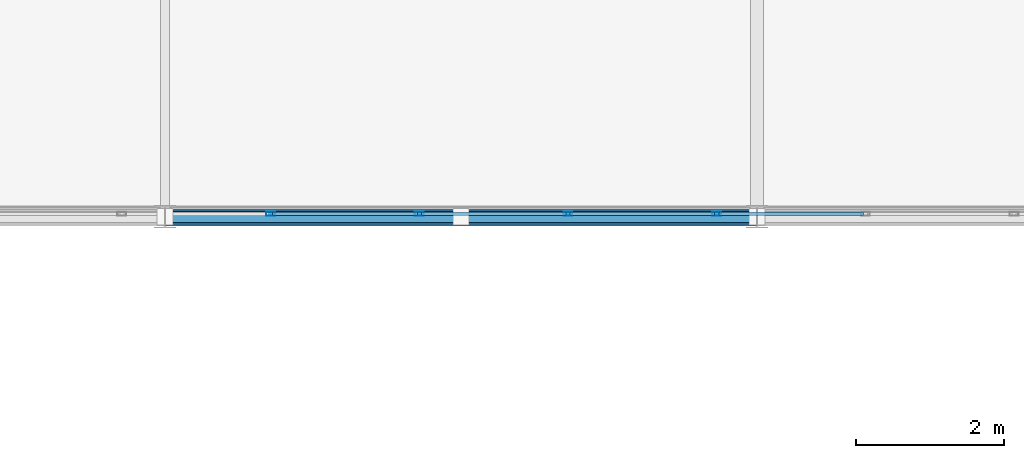
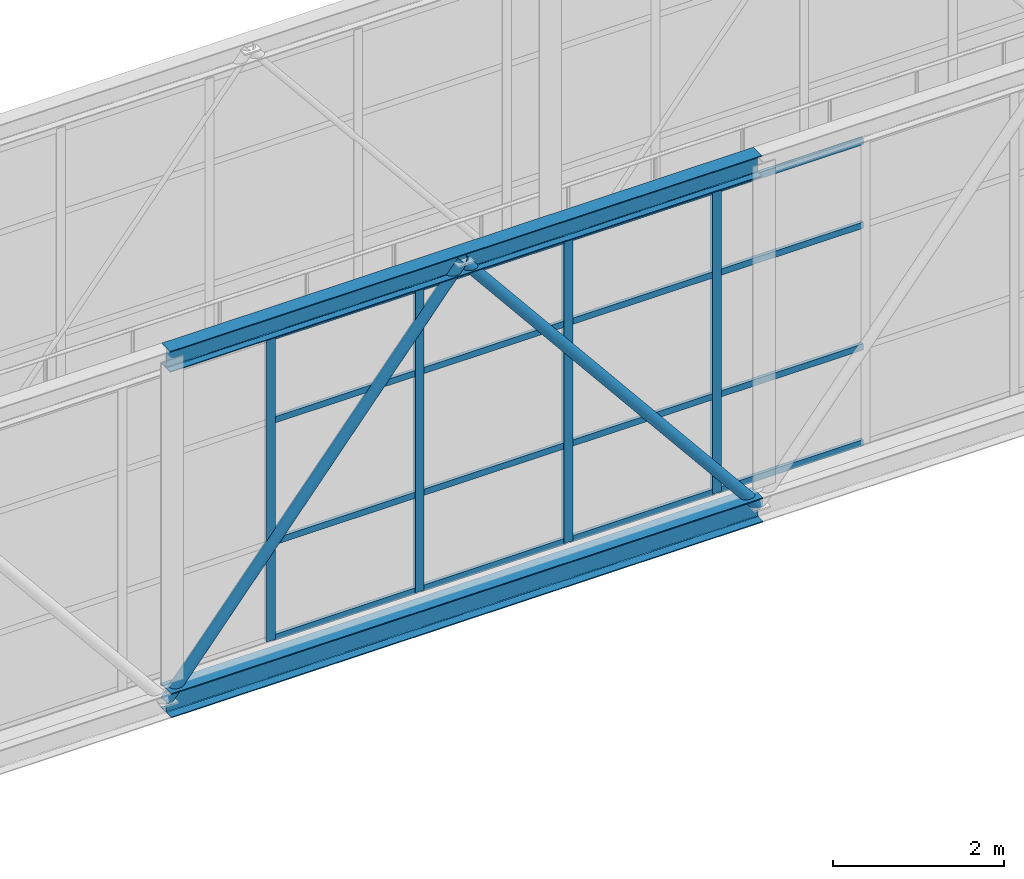
# One storey, part 88 of 248: 24 members, 1 element without a shape of its own.
"""IFC4 building model written with IfcOpenShell, lengths in metres."""

from ifc_helpers import new_model, si_unit, direction, frame, origin, origin_2d, place, context, subcontext, project, spatial, hollow_rectangle, hollow_circle, i_section, extrude, material, layer, layer_set, material_profile, profile_set, type_object, element, aggregate, save


model = new_model("IFC4")

# Units and contexts
model_context = context("Model", 3, precision=1e-05, world=origin(), true_north=direction((0.0, 1.0)))
body_context = subcontext(model_context, "Body", "Model", "MODEL_VIEW")
ifc_project = project(units=[si_unit("LENGTHUNIT", "METRE"), si_unit("AREAUNIT", "SQUARE_METRE"), si_unit("VOLUMEUNIT", "CUBIC_METRE"), si_unit("PLANEANGLEUNIT", "RADIAN"), si_unit("MASSUNIT", "GRAM", prefix="KILO")], contexts=[model_context])

# Site, building, storey
site_placement = place(None, origin())
site = spatial("IfcSite", under=ifc_project, at=site_placement, CompositionType="ELEMENT")
building_placement = place(site_placement, origin())
building = spatial("IfcBuilding", under=site, at=building_placement, Name="Canggui Botanical Conservatory", CompositionType="ELEMENT")
storey_placement = place(building_placement, frame((0.0, 0.0, 5.39990234375)))
storey = spatial("IfcBuildingStorey", under=building, at=storey_placement, Name="L02", CompositionType="ELEMENT", Elevation=5.39990234375)

# Curtain wall, members
ifc_material_1 = material(Name="Thermally Broken Aluminium", Category="aluminium")
ifc_layer = layer(ifc_material_1, 0.1201171875, Name="Thermally Broken Aluminium", Category="aluminium")
ifc_layer_set = layer_set([ifc_layer], Name="Thermally Broken Aluminium")
curtain_wall_type = type_object("IfcCurtainWallType", Name="CW-STICK-B", PredefinedType="USERDEFINED", material=ifc_layer_set)
curtain_wall_placement = place(storey_placement, origin())
curtain_wall = element("IfcCurtainWall", 1, at=curtain_wall_placement, inside=storey, type_object=curtain_wall_type, Name="Facade Curtain Wall CW-SB-01-1", ObjectType="STICK GLAZED WALL", PredefinedType="USERDEFINED")
ifc_material_profile_1 = material_profile(ifc_material_1, hollow_rectangle(XDim=0.054931640625, YDim=0.1201171875, WallThickness=0.0029296875, at=origin_2d()), Name="CWM 55x120x3")
ifc_profile_set_1 = profile_set([ifc_material_profile_1], Name="Thermally Broken Aluminium")
member_type_1 = type_object("IfcMemberType", Name="CWM-05", PredefinedType="MULLION", material=ifc_profile_set_1)
member_1_placement = place(storey_placement, frame((82.927490234375, 26.0400390625, 0.0), z_axis=(0.0, 0.0, 1.0), x_axis=(0.0, 1.0, 0.0)))
member_1 = element("IfcMember", 2, at=member_1_placement, type_object=member_type_1, Name="CW-05 mullion 9", PredefinedType="MULLION", context=body_context, shape_type="SweptSolid", body=[
    extrude(hollow_rectangle(XDim=0.054931640625, YDim=0.1201171875, WallThickness=0.0029296875, at=origin_2d()), origin(), (0.0, 0.0, 1.0), 4.35009765625),
])
member_2_placement = place(storey_placement, frame((84.93701171875, 26.0400390625, 0.0), z_axis=(0.0, 0.0, 1.0), x_axis=(0.0, 1.0, 0.0)))
member_2 = element("IfcMember", 3, at=member_2_placement, type_object=member_type_1, Name="CW-05 mullion 10", PredefinedType="MULLION", context=body_context, shape_type="SweptSolid", body=[
    extrude(hollow_rectangle(XDim=0.054931640625, YDim=0.1201171875, WallThickness=0.0029296875, at=origin_2d()), origin(), (0.0, 0.0, 1.0), 4.35009765625),
])
member_3_placement = place(storey_placement, frame((86.94677734375, 26.0400390625, 0.0), z_axis=(0.0, 0.0, 1.0), x_axis=(0.0, 1.0, 0.0)))
member_3 = element("IfcMember", 4, at=member_3_placement, type_object=member_type_1, Name="CW-05 mullion 11", PredefinedType="MULLION", context=body_context, shape_type="SweptSolid", body=[
    extrude(hollow_rectangle(XDim=0.054931640625, YDim=0.1201171875, WallThickness=0.0029296875, at=origin_2d()), origin(), (0.0, 0.0, 1.0), 4.35009765625),
])
member_4_placement = place(storey_placement, frame((88.95654296875, 26.0400390625, 0.0), z_axis=(0.0, 0.0, 1.0), x_axis=(0.0, 1.0, 0.0)))
member_4 = element("IfcMember", 5, at=member_4_placement, type_object=member_type_1, Name="CW-05 mullion 12", PredefinedType="MULLION", context=body_context, shape_type="SweptSolid", body=[
    extrude(hollow_rectangle(XDim=0.054931640625, YDim=0.1201171875, WallThickness=0.0029296875, at=origin_2d()), origin(), (0.0, 0.0, 1.0), 4.35009765625),
])
ifc_material_profile_2 = material_profile(ifc_material_1, hollow_rectangle(XDim=0.044921875, YDim=0.090087890625, WallThickness=0.0029296875, at=origin_2d()), Name="CWT 45x90x3")
ifc_profile_set_2 = profile_set([ifc_material_profile_2], Name="Thermally Broken Aluminium")
member_type_2 = type_object("IfcMemberType", Name="CWT-05", PredefinedType="USERDEFINED", material=ifc_profile_set_2)
member_5_placement = place(storey_placement, frame((82.954833984375, 26.0400390625, 0.022705078125), z_axis=(1.0, 0.0, 0.0), x_axis=(0.0, 1.0, 0.0)))
member_5 = element("IfcMember", 6, at=member_5_placement, type_object=member_type_2, Name="CW-05 transom 9.1", ObjectType="TRANSOM", PredefinedType="USERDEFINED", context=body_context, shape_type="SweptSolid", body=[
    extrude(hollow_rectangle(XDim=0.044921875, YDim=0.090087890625, WallThickness=0.0029296875, at=origin_2d()), origin(), (0.0, 0.0, 1.0), 1.954833984375),
])
member_6_placement = place(storey_placement, frame((82.954833984375, 26.0400390625, 1.39208984375), z_axis=(1.0, 0.0, 0.0), x_axis=(0.0, 1.0, 0.0)))
member_6 = element("IfcMember", 7, at=member_6_placement, type_object=member_type_2, Name="CW-05 transom 9.2", ObjectType="TRANSOM", PredefinedType="USERDEFINED", context=body_context, shape_type="SweptSolid", body=[
    extrude(hollow_rectangle(XDim=0.044921875, YDim=0.090087890625, WallThickness=0.0029296875, at=origin_2d()), origin(), (0.0, 0.0, 1.0), 1.954833984375),
])
member_7_placement = place(storey_placement, frame((82.954833984375, 26.0400390625, 3.132080078125), z_axis=(1.0, 0.0, 0.0), x_axis=(0.0, 1.0, 0.0)))
member_7 = element("IfcMember", 8, at=member_7_placement, type_object=member_type_2, Name="CW-05 transom 9.3", ObjectType="TRANSOM", PredefinedType="USERDEFINED", context=body_context, shape_type="SweptSolid", body=[
    extrude(hollow_rectangle(XDim=0.044921875, YDim=0.090087890625, WallThickness=0.0029296875, at=origin_2d()), origin(), (0.0, 0.0, 1.0), 1.954833984375),
])
member_8_placement = place(storey_placement, frame((82.954833984375, 26.0400390625, 4.32763671875), z_axis=(1.0, 0.0, 0.0), x_axis=(0.0, 1.0, 0.0)))
member_8 = element("IfcMember", 9, at=member_8_placement, type_object=member_type_2, Name="CW-05 transom 9.4", ObjectType="TRANSOM", PredefinedType="USERDEFINED", context=body_context, shape_type="SweptSolid", body=[
    extrude(hollow_rectangle(XDim=0.044921875, YDim=0.090087890625, WallThickness=0.0029296875, at=origin_2d()), origin(), (0.0, 0.0, 1.0), 1.954833984375),
])
member_9_placement = place(storey_placement, frame((84.964599609375, 26.0400390625, 0.022705078125), z_axis=(1.0, 0.0, 0.0), x_axis=(0.0, 1.0, 0.0)))
member_9 = element("IfcMember", 10, at=member_9_placement, type_object=member_type_2, Name="CW-05 transom 10.1", ObjectType="TRANSOM", PredefinedType="USERDEFINED", context=body_context, shape_type="SweptSolid", body=[
    extrude(hollow_rectangle(XDim=0.044921875, YDim=0.090087890625, WallThickness=0.0029296875, at=origin_2d()), origin(), (0.0, 0.0, 1.0), 1.95458984375),
])
member_10_placement = place(storey_placement, frame((84.964599609375, 26.0400390625, 1.39208984375), z_axis=(1.0, 0.0, 0.0), x_axis=(0.0, 1.0, 0.0)))
member_10 = element("IfcMember", 11, at=member_10_placement, type_object=member_type_2, Name="CW-05 transom 10.2", ObjectType="TRANSOM", PredefinedType="USERDEFINED", context=body_context, shape_type="SweptSolid", body=[
    extrude(hollow_rectangle(XDim=0.044921875, YDim=0.090087890625, WallThickness=0.0029296875, at=origin_2d()), origin(), (0.0, 0.0, 1.0), 1.95458984375),
])
member_11_placement = place(storey_placement, frame((84.964599609375, 26.0400390625, 3.132080078125), z_axis=(1.0, 0.0, 0.0), x_axis=(0.0, 1.0, 0.0)))
member_11 = element("IfcMember", 12, at=member_11_placement, type_object=member_type_2, Name="CW-05 transom 10.3", ObjectType="TRANSOM", PredefinedType="USERDEFINED", context=body_context, shape_type="SweptSolid", body=[
    extrude(hollow_rectangle(XDim=0.044921875, YDim=0.090087890625, WallThickness=0.0029296875, at=origin_2d()), origin(), (0.0, 0.0, 1.0), 1.95458984375),
])
member_12_placement = place(storey_placement, frame((84.964599609375, 26.0400390625, 4.32763671875), z_axis=(1.0, 0.0, 0.0), x_axis=(0.0, 1.0, 0.0)))
member_12 = element("IfcMember", 13, at=member_12_placement, type_object=member_type_2, Name="CW-05 transom 10.4", ObjectType="TRANSOM", PredefinedType="USERDEFINED", context=body_context, shape_type="SweptSolid", body=[
    extrude(hollow_rectangle(XDim=0.044921875, YDim=0.090087890625, WallThickness=0.0029296875, at=origin_2d()), origin(), (0.0, 0.0, 1.0), 1.95458984375),
])
member_13_placement = place(storey_placement, frame((86.974365234375, 26.0400390625, 0.022705078125), z_axis=(1.0, 0.0, 0.0), x_axis=(0.0, 1.0, 0.0)))
member_13 = element("IfcMember", 14, at=member_13_placement, type_object=member_type_2, Name="CW-05 transom 11.1", ObjectType="TRANSOM", PredefinedType="USERDEFINED", context=body_context, shape_type="SweptSolid", body=[
    extrude(hollow_rectangle(XDim=0.044921875, YDim=0.090087890625, WallThickness=0.0029296875, at=origin_2d()), origin(), (0.0, 0.0, 1.0), 1.95458984375),
])
member_14_placement = place(storey_placement, frame((86.974365234375, 26.0400390625, 1.39208984375), z_axis=(1.0, 0.0, 0.0), x_axis=(0.0, 1.0, 0.0)))
member_14 = element("IfcMember", 15, at=member_14_placement, type_object=member_type_2, Name="CW-05 transom 11.2", ObjectType="TRANSOM", PredefinedType="USERDEFINED", context=body_context, shape_type="SweptSolid", body=[
    extrude(hollow_rectangle(XDim=0.044921875, YDim=0.090087890625, WallThickness=0.0029296875, at=origin_2d()), origin(), (0.0, 0.0, 1.0), 1.95458984375),
])
member_15_placement = place(storey_placement, frame((86.974365234375, 26.0400390625, 3.132080078125), z_axis=(1.0, 0.0, 0.0), x_axis=(0.0, 1.0, 0.0)))
member_15 = element("IfcMember", 16, at=member_15_placement, type_object=member_type_2, Name="CW-05 transom 11.3", ObjectType="TRANSOM", PredefinedType="USERDEFINED", context=body_context, shape_type="SweptSolid", body=[
    extrude(hollow_rectangle(XDim=0.044921875, YDim=0.090087890625, WallThickness=0.0029296875, at=origin_2d()), origin(), (0.0, 0.0, 1.0), 1.95458984375),
])
member_16_placement = place(storey_placement, frame((86.974365234375, 26.0400390625, 4.32763671875), z_axis=(1.0, 0.0, 0.0), x_axis=(0.0, 1.0, 0.0)))
member_16 = element("IfcMember", 17, at=member_16_placement, type_object=member_type_2, Name="CW-05 transom 11.4", ObjectType="TRANSOM", PredefinedType="USERDEFINED", context=body_context, shape_type="SweptSolid", body=[
    extrude(hollow_rectangle(XDim=0.044921875, YDim=0.090087890625, WallThickness=0.0029296875, at=origin_2d()), origin(), (0.0, 0.0, 1.0), 1.95458984375),
])
member_17_placement = place(storey_placement, frame((88.98388671875, 26.0400390625, 0.022705078125), z_axis=(1.0, 0.0, 0.0), x_axis=(0.0, 1.0, 0.0)))
member_17 = element("IfcMember", 18, at=member_17_placement, type_object=member_type_2, Name="CW-05 transom 12.1", ObjectType="TRANSOM", PredefinedType="USERDEFINED", context=body_context, shape_type="SweptSolid", body=[
    extrude(hollow_rectangle(XDim=0.044921875, YDim=0.090087890625, WallThickness=0.0029296875, at=origin_2d()), origin(), (0.0, 0.0, 1.0), 1.954833984375),
])
member_18_placement = place(storey_placement, frame((88.98388671875, 26.0400390625, 1.39208984375), z_axis=(1.0, 0.0, 0.0), x_axis=(0.0, 1.0, 0.0)))
member_18 = element("IfcMember", 19, at=member_18_placement, type_object=member_type_2, Name="CW-05 transom 12.2", ObjectType="TRANSOM", PredefinedType="USERDEFINED", context=body_context, shape_type="SweptSolid", body=[
    extrude(hollow_rectangle(XDim=0.044921875, YDim=0.090087890625, WallThickness=0.0029296875, at=origin_2d()), origin(), (0.0, 0.0, 1.0), 1.954833984375),
])
member_19_placement = place(storey_placement, frame((88.98388671875, 26.0400390625, 3.132080078125), z_axis=(1.0, 0.0, 0.0), x_axis=(0.0, 1.0, 0.0)))
member_19 = element("IfcMember", 20, at=member_19_placement, type_object=member_type_2, Name="CW-05 transom 12.3", ObjectType="TRANSOM", PredefinedType="USERDEFINED", context=body_context, shape_type="SweptSolid", body=[
    extrude(hollow_rectangle(XDim=0.044921875, YDim=0.090087890625, WallThickness=0.0029296875, at=origin_2d()), origin(), (0.0, 0.0, 1.0), 1.954833984375),
])
member_20_placement = place(storey_placement, frame((88.98388671875, 26.0400390625, 4.32763671875), z_axis=(1.0, 0.0, 0.0), x_axis=(0.0, 1.0, 0.0)))
member_20 = element("IfcMember", 21, at=member_20_placement, type_object=member_type_2, Name="CW-05 transom 12.4", ObjectType="TRANSOM", PredefinedType="USERDEFINED", context=body_context, shape_type="SweptSolid", body=[
    extrude(hollow_rectangle(XDim=0.044921875, YDim=0.090087890625, WallThickness=0.0029296875, at=origin_2d()), origin(), (0.0, 0.0, 1.0), 1.954833984375),
])
aggregate(curtain_wall, [member_1, member_2, member_3, member_4, member_5, member_6, member_7, member_8, member_9, member_10, member_11, member_12, member_13, member_14, member_15, member_16, member_17, member_18, member_19, member_20])

# Members
ifc_material_2 = material(Name="Steel Q355C", Category="steel")
ifc_material_profile_3 = material_profile(ifc_material_2, hollow_circle(Radius=0.075927734375, WallThickness=0.006103515625, at=origin_2d()), Name="CHS 152x6")
ifc_profile_set_3 = profile_set([ifc_material_profile_3], Name="Steel Q355C")
member_type_3 = type_object("IfcMemberType", Name="MEM-GSD04", PredefinedType="RAFTER", material=ifc_profile_set_3)
for number, where, z_axis, x_axis, name in (
    (22, (81.5, 26.0, -0.349853515625), (0.632384053133, 0.0, 0.774655026024), (0.0, 1.0, 0.0), "SB-01 Truss Web Rafter 1.3A"),
    (23, (85.5, 26.0, 4.550048828125), (0.632384053133, 0.0, -0.774655026024), (0.0, 1.0, 0.0), "SB-01 Truss Web Rafter 1.3B"),
):
    element("IfcMember", number, at=place(storey_placement, frame(where, z_axis=z_axis, x_axis=x_axis)), inside=storey, type_object=member_type_3, Name=name, PredefinedType="RAFTER", context=body_context, shape_type="SweptSolid", body=[
        extrude(hollow_circle(Radius=0.075927734375, WallThickness=0.006103515625, at=origin_2d()), origin(), (0.0, 0.0, 1.0), 6.3251953125),
    ])
ifc_material_3 = material(Name="Steel Q355B", Category="steel")
ifc_material_profile_4 = material_profile(ifc_material_3, i_section(OverallWidth=0.25, OverallDepth=0.35009765625, WebThickness=0.009033203125, FlangeThickness=0.013916015625, FilletRadius=0.02001953125, at=origin_2d()), Name="HM 350x250x9x14")
ifc_profile_set_4 = profile_set([ifc_material_profile_4], Name="Steel Q355B")
member_type_4 = type_object("IfcMemberType", Name="MEM-TC03", PredefinedType="CHORD", material=ifc_profile_set_4)
member_21_placement = place(storey_placement, frame((81.5, 26.0, -0.349853515625), z_axis=(1.0, 0.0, 0.0), x_axis=(0.0, 1.0, 0.0)))
element("IfcMember", 24, at=member_21_placement, inside=storey, type_object=member_type_4, Name="SB-01 Deck Truss Bottom Chord 1.3", PredefinedType="CHORD", context=body_context, shape_type="SweptSolid", body=[
    extrude(i_section(OverallWidth=0.25, OverallDepth=0.35009765625, WebThickness=0.009033203125, FlangeThickness=0.013916015625, FilletRadius=0.02001953125, at=origin_2d()), origin(), (0.0, 0.0, 1.0), 8.0),
])
ifc_material_profile_5 = material_profile(ifc_material_3, i_section(OverallWidth=0.199951171875, OverallDepth=0.300048828125, WebThickness=0.008056640625, FlangeThickness=0.011962890625, FilletRadius=0.01806640625, at=origin_2d()), Name="HM 300x200x8x12")
ifc_profile_set_5 = profile_set([ifc_material_profile_5], Name="Steel Q355B")
member_type_5 = type_object("IfcMemberType", Name="MEM-TC04", PredefinedType="CHORD", material=ifc_profile_set_5)
member_22_placement = place(storey_placement, frame((81.5, 26.0, 4.550048828125), z_axis=(1.0, 0.0, 0.0), x_axis=(0.0, 1.0, 0.0)))
element("IfcMember", 25, at=member_22_placement, inside=storey, type_object=member_type_5, Name="SB-01 Roof Truss Top Chord 1.3", PredefinedType="CHORD", context=body_context, shape_type="SweptSolid", body=[
    extrude(i_section(OverallWidth=0.199951171875, OverallDepth=0.300048828125, WebThickness=0.008056640625, FlangeThickness=0.011962890625, FilletRadius=0.01806640625, at=origin_2d()), origin(), (0.0, 0.0, 1.0), 8.0),
])

save(model, "model.ifc")
